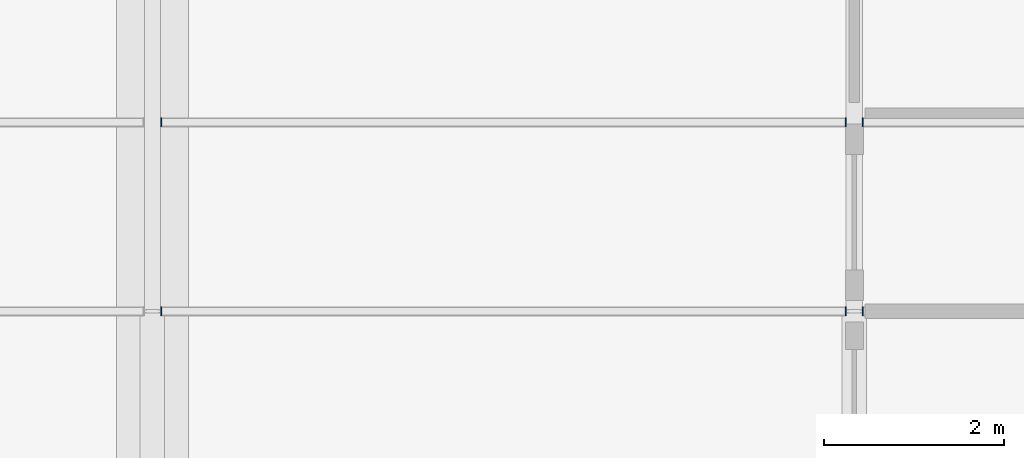
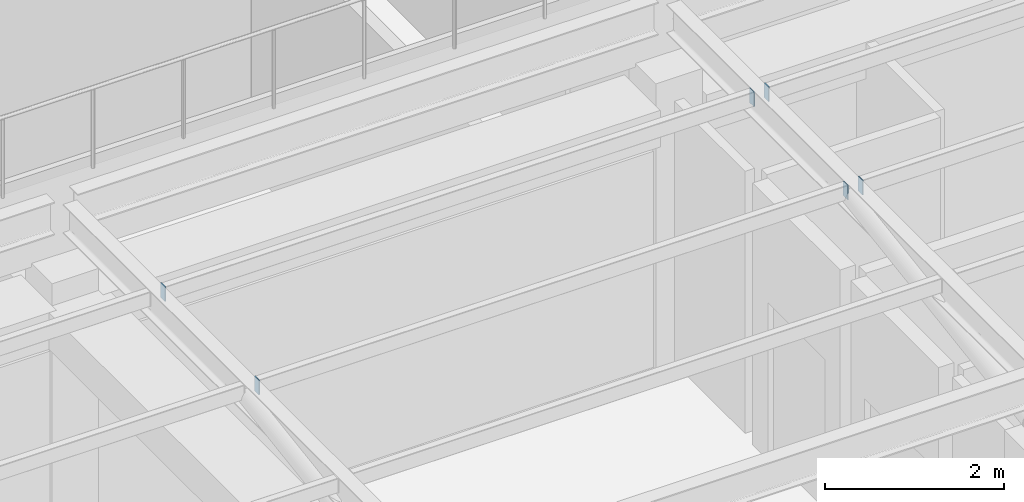
# One storey, part 12 of 20: 6 plates.
"""IFC4 building model written with IfcOpenShell, lengths in metres."""

import ifcopenshell
import ifcopenshell.guid

model = None  # the IFC model being written
_history = None  # IfcOwnerHistory: only IFC2X3 demands one
_inside = {}  # id of a spatial element -> (the spatial element, [elements in it])
_under = {}  # id of a project, library or spatial element -> (it, [spatial elements below it])
_declared = {}  # id of a project -> (the project, [libraries it declares])
_typed = {}  # id of a type object -> (the type object, [elements of that type])
_made_of = {}  # id of a material, layer set ... -> (it, [elements and type objects made of it])


def new_model(schema):
    """Start an empty IFC model of exactly this schema.

    Asked for "IFC4X3", IfcOpenShell would pick the latest addendum, in which some entities
    have other attributes; the version numbers below select the first issue.
    IFC2X3 requires an IfcOwnerHistory on every rooted entity: one is made here for all.
    """
    global model, _history
    if schema == "IFC4X3":
        model = ifcopenshell.file(schema_version=(4, 3, 0, 0))
    else:
        model = ifcopenshell.file(schema=schema)
    _inside.clear()
    _under.clear()
    _declared.clear()
    _typed.clear()
    _made_of.clear()
    _history = None
    if model.schema == "IFC2X3":
        org = make("IfcOrganization", Name="unknown")
        user = make(
            "IfcPersonAndOrganization",
            ThePerson=make("IfcPerson", FamilyName="unknown"),
            TheOrganization=org,
        )
        app = make(
            "IfcApplication",
            ApplicationDeveloper=org,
            Version="unknown",
            ApplicationFullName="unknown",
            ApplicationIdentifier="unknown",
        )
        _history = make(
            "IfcOwnerHistory",
            OwningUser=user,
            OwningApplication=app,
            ChangeAction="ADDED",
            CreationDate=0,
        )
    return model


def make(cls, **values):
    """One entity of the class cls with the attributes given. An attribute that is None is left unset."""
    return model.create_entity(
        cls, **{name: value for name, value in values.items() if value is not None}
    )


def rooted(cls, **values):
    """An entity with a GlobalId (a new one), such as an element, a storey or a relation."""
    return make(cls, GlobalId=ifcopenshell.guid.new(), OwnerHistory=_history, **values)


def si_unit(unit_type, name, prefix=None):
    """IfcSIUnit, for example si_unit("LENGTHUNIT", "METRE", prefix="MILLI")."""
    return make("IfcSIUnit", UnitType=unit_type, Prefix=prefix, Name=name)


def assignment(units):
    """IfcUnitAssignment: the units of a project."""
    return None if units is None else make("IfcUnitAssignment", Units=units)


def point(xyz):
    """IfcCartesianPoint."""
    return None if xyz is None else make("IfcCartesianPoint", Coordinates=xyz)


def direction(xyz):
    """IfcDirection."""
    return None if xyz is None else make("IfcDirection", DirectionRatios=xyz)


def frame(location, z_axis=None, x_axis=None):
    """IfcAxis2Placement3D, a coordinate frame: its origin and axes. An axis left out is left unset."""
    return make(
        "IfcAxis2Placement3D",
        Location=point(location),
        Axis=direction(z_axis),
        RefDirection=direction(x_axis),
    )


def frame_2d(location, x_axis=None):
    """IfcAxis2Placement2D, a coordinate frame in the plane: its origin and x axis."""
    return make(
        "IfcAxis2Placement2D", Location=point(location), RefDirection=direction(x_axis)
    )


def origin():
    """The frame at (0, 0, 0) with its axes left unset."""
    return frame((0.0, 0.0, 0.0))


def origin_2d():
    """The frame at (0, 0) in the plane with its x axis left unset."""
    return frame_2d((0.0, 0.0))


def place(relative_to, where):
    """IfcLocalPlacement: puts the frame where relative to a parent placement (None: the world)."""
    return make(
        "IfcLocalPlacement", PlacementRelTo=relative_to, RelativePlacement=where
    )


def context(
    kind, dimensions, precision=None, world=None, true_north=None, identifier=None
):
    """IfcGeometricRepresentationContext, for example the 3D "Model" context."""
    return make(
        "IfcGeometricRepresentationContext",
        ContextIdentifier=identifier,
        ContextType=kind,
        CoordinateSpaceDimension=dimensions,
        Precision=precision,
        WorldCoordinateSystem=world,
        TrueNorth=true_north,
    )


def subcontext(parent, identifier, kind, view, scale=None):
    """IfcGeometricRepresentationSubContext, for example "Body" below "Model"."""
    return make(
        "IfcGeometricRepresentationSubContext",
        ContextIdentifier=identifier,
        ContextType=kind,
        ParentContext=parent,
        TargetScale=scale,
        TargetView=view,
    )


def project(units=None, contexts=None):
    """IfcProject with its units and contexts."""
    return rooted(
        "IfcProject",
        Name="project",
        RepresentationContexts=contexts,
        UnitsInContext=assignment(units),
    )


def spatial(cls, under=None, at=None, **own):
    """A site, building, storey or space (cls), placed at a placement, below another one or the project."""
    s = rooted(cls, ObjectPlacement=at, **own)
    if under is not None:
        _under.setdefault(under.id(), (under, []))[1].append(s)
    return s


def profile(cls, at=None, kind="AREA", **sizes):
    """A parametric profile (cls). Its sizes go by their IFC names, for example OverallWidth=200.0."""
    return make(cls, ProfileType=kind, Position=at, **sizes)


def rectangle(**sizes):
    """IfcRectangleProfileDef."""
    return profile("IfcRectangleProfileDef", **sizes)


def extrude(swept, where, along, depth):
    """IfcExtrudedAreaSolid: the profile swept, set in the frame where, extruded along a direction by depth."""
    return make(
        "IfcExtrudedAreaSolid",
        SweptArea=swept,
        Position=where,
        ExtrudedDirection=direction(along),
        Depth=depth,
    )


def shape(context_of_items, identifier, shape_type, items):
    """IfcShapeRepresentation: the items that make up one representation, for example the "Body"."""
    return make(
        "IfcShapeRepresentation",
        ContextOfItems=context_of_items,
        RepresentationIdentifier=identifier,
        RepresentationType=shape_type,
        Items=items,
    )


def material(Name=None, Category=None):
    """IfcMaterial."""
    return make("IfcMaterial", Name=Name, Category=Category)


def layer(
    of_material, thickness, ventilated=None, Name=None, Category=None, Priority=None
):
    """IfcMaterialLayer: one layer of a wall or slab, of a material (None: an air gap)."""
    return make(
        "IfcMaterialLayer",
        Material=of_material,
        LayerThickness=thickness,
        IsVentilated=ventilated,
        Name=Name,
        Category=Category,
        Priority=Priority,
    )


def layer_set(layers, Name=None):
    """IfcMaterialLayerSet."""
    return make("IfcMaterialLayerSet", MaterialLayers=layers, LayerSetName=Name)


def made_of(thing, what):
    """Note that an element or type object is made of a material, layer set ...; save() writes the relation."""
    if what is not None:
        _made_of.setdefault(what.id(), (what, []))[1].append(thing)
    return thing


def type_object(cls, material=None, **own):
    """A type object (cls), such as IfcWallType, which elements share."""
    return made_of(rooted(cls, **own), material)


def element(
    cls,
    number,
    at=None,
    inside=None,
    cuts=None,
    type_object=None,
    material=None,
    context=None,
    identifier="Body",
    shape_type=None,
    held_by="IfcProductDefinitionShape",
    body=None,
    shapes=None,
    **own,
):
    """One element of the class cls, such as IfcWall. Its Tag is "e" and its number.

    at: its placement. inside: the storey or other place that contains it. cuts: it is an
    opening in that element (IfcRelVoidsElement). A single representation is given by context,
    identifier, shape_type and body (its items); several are given by shapes. held_by: the class
    of the entity that holds the representations. save() writes the other relations.
    """
    e = rooted(cls, Tag="e%d" % number, ObjectPlacement=at, **own)
    if body is not None:
        shapes = [shape(context, identifier, shape_type, body)]
    if shapes is not None:
        e.Representation = make(held_by, Representations=shapes)
    if inside is not None:
        _inside.setdefault(inside.id(), (inside, []))[1].append(e)
    if cuts is not None:
        rooted(
            "IfcRelVoidsElement", RelatingBuildingElement=cuts, RelatedOpeningElement=e
        )
    if type_object is not None:
        _typed.setdefault(type_object.id(), (type_object, []))[1].append(e)
    return made_of(e, material)


def aggregate(whole, parts):
    """IfcRelAggregates: a whole, such as a stair, and the parts it consists of."""
    return rooted("IfcRelAggregates", RelatingObject=whole, RelatedObjects=parts)


def save(model, path):
    """Write the relations noted so far, then the file.

    IfcRelAggregates (storeys below a building ...), IfcRelContainedInSpatialStructure (elements
    in a storey), IfcRelDefinesByType, IfcRelAssociatesMaterial and IfcRelDeclares: one each for
    every whole, place, type object, material and project.
    """
    for whole, parts in _under.values():
        aggregate(whole, parts)
    for where, things in _inside.values():
        rooted(
            "IfcRelContainedInSpatialStructure",
            RelatedElements=things,
            RelatingStructure=where,
        )
    for kind, things in _typed.values():
        rooted("IfcRelDefinesByType", RelatedObjects=things, RelatingType=kind)
    for what, things in _made_of.values():
        rooted("IfcRelAssociatesMaterial", RelatedObjects=things, RelatingMaterial=what)
    for by, libraries in _declared.values():
        rooted("IfcRelDeclares", RelatingContext=by, RelatedDefinitions=libraries)
    model.write(path)


model = new_model("IFC4")

# Units and contexts
model_context = context("Model", 3, precision=1e-05, world=origin(), true_north=direction((0.0, 1.0)))
body_context = subcontext(model_context, "Body", "Model", "MODEL_VIEW")
ifc_project = project(units=[si_unit("LENGTHUNIT", "METRE"), si_unit("AREAUNIT", "SQUARE_METRE"), si_unit("VOLUMEUNIT", "CUBIC_METRE"), si_unit("PLANEANGLEUNIT", "RADIAN"), si_unit("MASSUNIT", "GRAM", prefix="KILO"), si_unit("THERMODYNAMICTEMPERATUREUNIT", "KELVIN"), si_unit("POWERUNIT", "WATT")], contexts=[model_context])

# Site, building, storey
site_placement = place(None, origin())
site = spatial("IfcSite", under=ifc_project, at=site_placement, CompositionType="ELEMENT")
building_placement = place(site_placement, origin())
building = spatial("IfcBuilding", under=site, at=building_placement, Name="Srebrne Nadtorze General Hospital", CompositionType="ELEMENT")
storey_placement = place(building_placement, frame((0.0, 0.0, 33.89990234375)))
storey = spatial("IfcBuildingStorey", under=building, at=storey_placement, Name="L08", CompositionType="ELEMENT", Elevation=33.89990234375)

# Plates
ifc_material = material(Name="Steel S355J2", Category="steel")
ifc_layer = layer(ifc_material, 0.011962890625)
ifc_layer_set = layer_set([ifc_layer], Name="Steel S355J2")
plate_type = type_object("IfcPlateType", Name="Steel bearing plate 12", PredefinedType="SHEET", material=ifc_layer_set)
for number, where, z_axis, x_axis, name in (
    (1, (39.095947265625, 71.39990234375, 4.64013671875), (0.0, 0.0, 1.0), (1.0, 0.0, 0.0), "Helipad deck purlin end plate 17-1"),
    (2, (46.7041015625, 71.39990234375, 4.64013671875), (0.0, 0.0, 1.0), (1.0, 0.0, 0.0), "Helipad deck purlin end plate 17-2"),
    (3, (39.095947265625, 73.5, 4.64013671875), (0.0, 0.0, 1.0), (1.0, 0.0, 0.0), "Helipad deck purlin end plate 18-1"),
    (4, (46.7041015625, 73.5, 4.64013671875), (0.0, 0.0, 1.0), (1.0, 0.0, 0.0), "Helipad deck purlin end plate 18-2"),
    (5, (46.89599609375, 71.39990234375, 4.64013671875), (0.0, 0.0, 1.0), (1.0, 0.0, 0.0), "Helipad deck purlin end plate 26-1"),
    (6, (46.89599609375, 73.5, 4.64013671875), (0.0, 0.0, 1.0), (1.0, 0.0, 0.0), "Helipad deck purlin end plate 27-1"),
):
    element("IfcPlate", number, at=place(storey_placement, frame(where, z_axis=z_axis, x_axis=x_axis)), inside=storey, type_object=plate_type, Name=name, PredefinedType="SHEET", context=body_context, shape_type="SweptSolid", body=[
        extrude(rectangle(XDim=0.011962890625, YDim=0.10009765625, at=origin_2d()), origin(), (0.0, 0.0, 1.0), 0.199951171875),
    ])

save(model, "model.ifc")
